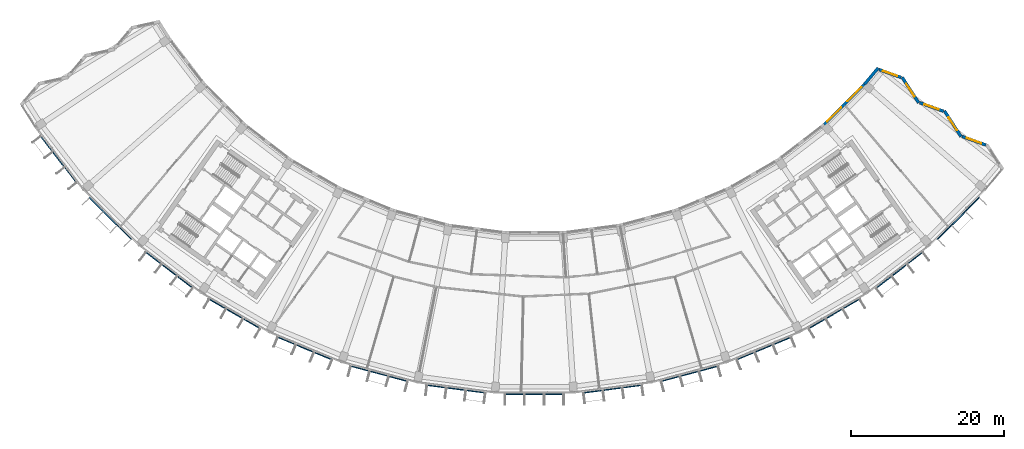
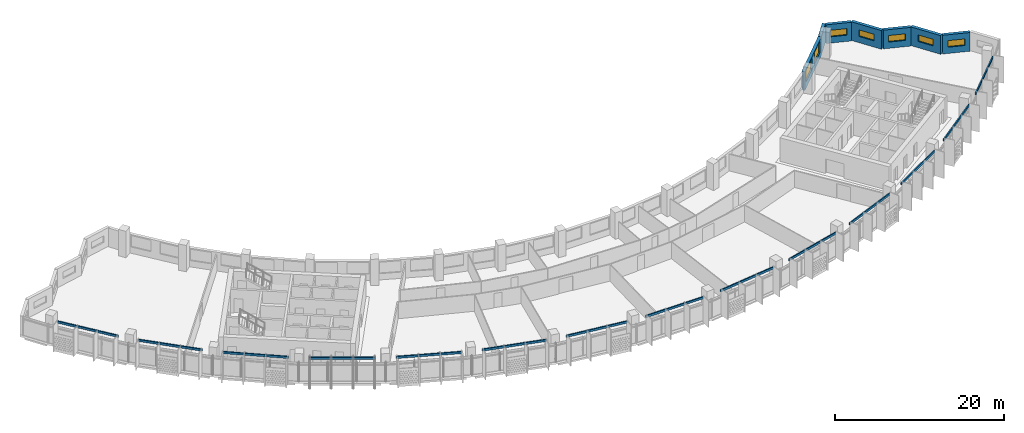
# One storey, part 8 of 28: 14 discrete accessories, 7 walls, 7 windows, 7 openings.
"""IFC4 building model written with IfcOpenShell, lengths in metres."""

from ifc_helpers import new_model, si_unit, direction, frame, frame_2d, origin, origin_2d, place, context, subcontext, project, spatial, rectangle, extrude, material, layer, layer_set, type_object, element, fill, save


model = new_model("IFC4")

# Units and contexts
model_context = context("Model", 3, precision=1e-05, world=origin(), true_north=direction((0.0, 1.0)))
body_context = subcontext(model_context, "Body", "Model", "MODEL_VIEW")
ifc_project = project(units=[si_unit("LENGTHUNIT", "METRE"), si_unit("AREAUNIT", "SQUARE_METRE"), si_unit("VOLUMEUNIT", "CUBIC_METRE"), si_unit("PLANEANGLEUNIT", "RADIAN"), si_unit("MASSUNIT", "GRAM", prefix="KILO")], contexts=[model_context])

# Site, building, storey
site_placement = place(None, origin())
site = spatial("IfcSite", under=ifc_project, at=site_placement, CompositionType="ELEMENT")
building_placement = place(site_placement, origin())
building = spatial("IfcBuilding", under=site, at=building_placement, Name="Qamariyya Broadcast Tower", CompositionType="ELEMENT")
storey_placement = place(building_placement, frame((0.0, 0.0, 249.300048828125)))
storey = spatial("IfcBuildingStorey", under=building, at=storey_placement, Name="L60", CompositionType="ELEMENT", Elevation=249.300048828125)

# Wall, opening, window
ifc_material_1 = material(Name="Terracotta", Category="masonry")
ifc_layer = layer(ifc_material_1, 0.39990234375)
ifc_layer_set = layer_set([ifc_layer], Name="Terracotta clad wall 400")
wall_type = type_object("IfcWallType", Name="Terracotta clad wall 400", PredefinedType="SOLIDWALL", material=ifc_layer_set)
wall_1_placement = place(storey_placement, frame((59.151611328125, -45.932373046875, 0.0), z_axis=(0.0, 0.0, 1.0), x_axis=(-0.940800753526, 0.33896008934, 0.0)))
wall_1 = element("IfcWall", 1, at=wall_1_placement, inside=storey, type_object=wall_type, Name="e-wl-L60-capE1", PredefinedType="SOLIDWALL", context=body_context, shape_type="SweptSolid", body=[
    extrude(rectangle(XDim=3.30517578125, YDim=0.39990234375, at=frame_2d((1.652587890625, 0.0))), origin(), (0.0, 0.0, 1.0), 2.699951171875),
])
opening_1_placement = place(wall_1_placement, frame((0.652587890625, 0.0, 0.89990234375)))
opening_1 = element("IfcOpeningElement", 2, at=opening_1_placement, cuts=wall_1, Name="Opening W4", PredefinedType="OPENING", context=body_context, shape_type="SweptSolid", body=[
    extrude(rectangle(XDim=2.0, YDim=0.949951171875, at=frame_2d((1.0, 0.47509765625))), frame((0.0, 0.2099609375, 0.0), z_axis=(0.0, -1.0, 0.0), x_axis=(1.0, 0.0, 0.0)), (0.0, 0.0, 1.0), 0.419921875),
])
ifc_material_2 = material(Name="Clear low-e double glazed unit in aluminium frame", Category="aluminium")
window_type_1 = type_object("IfcWindowType", Name="Horn bay window 2000 x 950", PartitioningType="SINGLE_PANEL", PredefinedType="WINDOW", material=ifc_material_2)
window_1_placement = place(opening_1_placement, origin())
window_1 = element("IfcWindow", 3, at=window_1_placement, inside=storey, type_object=window_type_1, Name="e-w-L60-capE1", OverallHeight=0.949951171875, OverallWidth=2.0, PartitioningType="SINGLE_PANEL", PredefinedType="WINDOW", context=body_context, shape_type="SweptSolid", body=[
    extrude(rectangle(XDim=2.0, YDim=0.949951171875, at=frame_2d((1.0, 0.47509765625))), frame((0.0, 0.030029296875, 0.0), z_axis=(0.0, -1.0, 0.0), x_axis=(1.0, 0.0, 0.0)), (0.0, 0.0, 1.0), 0.06005859375),
])
fill(opening_1, window_1)

wall_2_placement = place(storey_placement, frame((55.9033203125, -44.839599609375, 0.0), z_axis=(0.0, 0.0, 1.0), x_axis=(-0.542306320031, 0.840180846755, 0.0)))
wall_2 = element("IfcWall", 4, at=wall_2_placement, inside=storey, type_object=wall_type, Name="e-wl-L60-capE2", PredefinedType="SOLIDWALL", context=body_context, shape_type="SweptSolid", body=[
    extrude(rectangle(XDim=3.997314453125, YDim=0.39990234375, at=frame_2d((1.99853515625, 0.0))), origin(), (0.0, 0.0, 1.0), 2.699951171875),
])
opening_2_placement = place(wall_2_placement, frame((0.998779296875, 0.0, 0.89990234375)))
opening_2 = element("IfcOpeningElement", 5, at=opening_2_placement, cuts=wall_2, Name="Opening W4", PredefinedType="OPENING", context=body_context, shape_type="SweptSolid", body=[
    extrude(rectangle(XDim=2.0, YDim=0.949951171875, at=frame_2d((1.0, 0.47509765625))), frame((0.0, 0.2099609375, 0.0), z_axis=(0.0, -1.0, 0.0), x_axis=(1.0, 0.0, 0.0)), (0.0, 0.0, 1.0), 0.419921875),
])
window_2_placement = place(opening_2_placement, origin())
window_2 = element("IfcWindow", 6, at=window_2_placement, inside=storey, type_object=window_type_1, Name="e-w-L60-capE2", OverallHeight=0.949951171875, OverallWidth=2.0, PartitioningType="SINGLE_PANEL", PredefinedType="WINDOW", context=body_context, shape_type="SweptSolid", body=[
    extrude(rectangle(XDim=2.0, YDim=0.949951171875, at=frame_2d((1.0, 0.47509765625))), frame((0.0, 0.030029296875, 0.0), z_axis=(0.0, -1.0, 0.0), x_axis=(1.0, 0.0, 0.0)), (0.0, 0.0, 1.0), 0.06005859375),
])
fill(opening_2, window_2)

wall_3_placement = place(storey_placement, frame((53.596923828125, -41.508544921875, 0.0), z_axis=(0.0, 0.0, 1.0), x_axis=(-0.940845962496, 0.338834583321, 0.0)))
wall_3 = element("IfcWall", 7, at=wall_3_placement, inside=storey, type_object=wall_type, Name="e-wl-L60-capE3", PredefinedType="SOLIDWALL", context=body_context, shape_type="SweptSolid", body=[
    extrude(rectangle(XDim=3.304443359375, YDim=0.39990234375, at=frame_2d((1.65234375, 0.0))), origin(), (0.0, 0.0, 1.0), 2.699951171875),
])
opening_3_placement = place(wall_3_placement, frame((0.652099609375, 0.0, 0.89990234375)))
opening_3 = element("IfcOpeningElement", 8, at=opening_3_placement, cuts=wall_3, Name="Opening W4", PredefinedType="OPENING", context=body_context, shape_type="SweptSolid", body=[
    extrude(rectangle(XDim=2.0, YDim=0.949951171875, at=frame_2d((1.0, 0.47509765625))), frame((0.0, 0.2099609375, 0.0), z_axis=(0.0, -1.0, 0.0), x_axis=(1.0, 0.0, 0.0)), (0.0, 0.0, 1.0), 0.419921875),
])
window_3_placement = place(opening_3_placement, origin())
window_3 = element("IfcWindow", 9, at=window_3_placement, inside=storey, type_object=window_type_1, Name="e-w-L60-capE3", OverallHeight=0.949951171875, OverallWidth=2.0, PartitioningType="SINGLE_PANEL", PredefinedType="WINDOW", context=body_context, shape_type="SweptSolid", body=[
    extrude(rectangle(XDim=2.0, YDim=0.949951171875, at=frame_2d((1.0, 0.47509765625))), frame((0.0, 0.030029296875, 0.0), z_axis=(0.0, -1.0, 0.0), x_axis=(1.0, 0.0, 0.0)), (0.0, 0.0, 1.0), 0.06005859375),
])
fill(opening_3, window_3)

wall_4_placement = place(storey_placement, frame((50.349365234375, -40.41650390625, 0.0), z_axis=(0.0, 0.0, 1.0), x_axis=(-0.542395263542, 0.840123430269, 0.0)))
wall_4 = element("IfcWall", 10, at=wall_4_placement, inside=storey, type_object=wall_type, Name="e-wl-L60-capE4", PredefinedType="SOLIDWALL", context=body_context, shape_type="SweptSolid", body=[
    extrude(rectangle(XDim=3.998291015625, YDim=0.39990234375, at=frame_2d((1.9990234375, 0.0))), origin(), (0.0, 0.0, 1.0), 2.699951171875),
])
opening_4_placement = place(wall_4_placement, frame((0.999267578125, 0.0, 0.89990234375)))
opening_4 = element("IfcOpeningElement", 11, at=opening_4_placement, cuts=wall_4, Name="Opening W4", PredefinedType="OPENING", context=body_context, shape_type="SweptSolid", body=[
    extrude(rectangle(XDim=2.0, YDim=0.949951171875, at=frame_2d((1.0, 0.47509765625))), frame((0.0, 0.2099609375, 0.0), z_axis=(0.0, -1.0, 0.0), x_axis=(1.0, 0.0, 0.0)), (0.0, 0.0, 1.0), 0.419921875),
])
window_4_placement = place(opening_4_placement, origin())
window_4 = element("IfcWindow", 12, at=window_4_placement, inside=storey, type_object=window_type_1, Name="e-w-L60-capE4", OverallHeight=0.949951171875, OverallWidth=2.0, PartitioningType="SINGLE_PANEL", PredefinedType="WINDOW", context=body_context, shape_type="SweptSolid", body=[
    extrude(rectangle(XDim=2.0, YDim=0.949951171875, at=frame_2d((1.0, 0.47509765625))), frame((0.0, 0.030029296875, 0.0), z_axis=(0.0, -1.0, 0.0), x_axis=(1.0, 0.0, 0.0)), (0.0, 0.0, 1.0), 0.06005859375),
])
fill(opening_4, window_4)

wall_5_placement = place(storey_placement, frame((48.0419921875, -37.0849609375, 0.0), z_axis=(0.0, 0.0, 1.0), x_axis=(-0.940859957981, 0.338795719378, 0.0)))
wall_5 = element("IfcWall", 13, at=wall_5_placement, inside=storey, type_object=wall_type, Name="e-wl-L60-capE5", PredefinedType="SOLIDWALL", context=body_context, shape_type="SweptSolid", body=[
    extrude(rectangle(XDim=3.061279296875, YDim=0.39990234375, at=frame_2d((1.53076171875, 0.0))), origin(), (0.0, 0.0, 1.0), 2.699951171875),
])
opening_5_placement = place(wall_5_placement, frame((0.530517578125, 0.0, 0.89990234375)))
opening_5 = element("IfcOpeningElement", 14, at=opening_5_placement, cuts=wall_5, Name="Opening W4", PredefinedType="OPENING", context=body_context, shape_type="SweptSolid", body=[
    extrude(rectangle(XDim=2.0, YDim=0.949951171875, at=frame_2d((1.0, 0.47509765625))), frame((0.0, 0.2099609375, 0.0), z_axis=(0.0, -1.0, 0.0), x_axis=(1.0, 0.0, 0.0)), (0.0, 0.0, 1.0), 0.419921875),
])
window_5_placement = place(opening_5_placement, origin())
window_5 = element("IfcWindow", 15, at=window_5_placement, inside=storey, type_object=window_type_1, Name="e-w-L60-capE5", OverallHeight=0.949951171875, OverallWidth=2.0, PartitioningType="SINGLE_PANEL", PredefinedType="WINDOW", context=body_context, shape_type="SweptSolid", body=[
    extrude(rectangle(XDim=2.0, YDim=0.949951171875, at=frame_2d((1.0, 0.47509765625))), frame((0.0, 0.030029296875, 0.0), z_axis=(0.0, -1.0, 0.0), x_axis=(1.0, 0.0, 0.0)), (0.0, 0.0, 1.0), 0.06005859375),
])
fill(opening_5, window_5)

# Wall, openings, windows
wall_6_placement = place(storey_placement, frame((43.24267578125, -37.9716796875, 0.0), z_axis=(0.0, 0.0, 1.0), x_axis=(-0.707106781187, -0.707106781187, 0.0)))
wall_6 = element("IfcWall", 16, at=wall_6_placement, inside=storey, type_object=wall_type, Name="e-wl-L60-in140", PredefinedType="SOLIDWALL", context=body_context, shape_type="SweptSolid", body=[
    extrude(rectangle(XDim=7.4404296875, YDim=0.39990234375, at=frame_2d((3.72021484375, 0.0))), origin(), (0.0, 0.0, 1.0), 2.699951171875),
])
opening_6_placement = place(wall_6_placement, frame((4.302490234375, 0.0, 0.89990234375)))
opening_6 = element("IfcOpeningElement", 17, at=opening_6_placement, cuts=wall_6, Name="Opening W1", PredefinedType="OPENING", context=body_context, shape_type="SweptSolid", body=[
    extrude(rectangle(XDim=2.60009765625, YDim=1.64990234375, at=frame_2d((1.300048828125, 0.824951171875))), frame((0.0, 0.2099609375, 0.0), z_axis=(0.0, -1.0, 0.0), x_axis=(1.0, 0.0, 0.0)), (0.0, 0.0, 1.0), 0.419921875),
])
opening_7_placement = place(wall_6_placement, frame((0.5517578125, 0.0, 0.89990234375)))
opening_7 = element("IfcOpeningElement", 18, at=opening_7_placement, cuts=wall_6, Name="Opening W1", PredefinedType="OPENING", context=body_context, shape_type="SweptSolid", body=[
    extrude(rectangle(XDim=2.60009765625, YDim=1.64990234375, at=frame_2d((1.300048828125, 0.824951171875))), frame((0.0, 0.2099609375, 0.0), z_axis=(0.0, -1.0, 0.0), x_axis=(1.0, 0.0, 0.0)), (0.0, 0.0, 1.0), 0.419921875),
])
window_type_2 = type_object("IfcWindowType", Name="Ribbon window 2600 x 1650", PartitioningType="SINGLE_PANEL", PredefinedType="WINDOW", material=ifc_material_2)
window_6_placement = place(opening_6_placement, origin())
window_6 = element("IfcWindow", 19, at=window_6_placement, inside=storey, type_object=window_type_2, Name="e-w-L60-in14-0", OverallHeight=1.64990234375, OverallWidth=2.60009765625, PartitioningType="SINGLE_PANEL", PredefinedType="WINDOW", context=body_context, shape_type="SweptSolid", body=[
    extrude(rectangle(XDim=2.60009765625, YDim=1.64990234375, at=frame_2d((1.300048828125, 0.824951171875))), frame((0.0, 0.030029296875, 0.0), z_axis=(0.0, -1.0, 0.0), x_axis=(1.0, 0.0, 0.0)), (0.0, 0.0, 1.0), 0.06005859375),
])
fill(opening_6, window_6)
window_7_placement = place(opening_7_placement, origin())
window_7 = element("IfcWindow", 20, at=window_7_placement, inside=storey, type_object=window_type_2, Name="e-w-L60-in14-1", OverallHeight=1.64990234375, OverallWidth=2.60009765625, PartitioningType="SINGLE_PANEL", PredefinedType="WINDOW", context=body_context, shape_type="SweptSolid", body=[
    extrude(rectangle(XDim=2.60009765625, YDim=1.64990234375, at=frame_2d((1.300048828125, 0.824951171875))), frame((0.0, 0.030029296875, 0.0), z_axis=(0.0, -1.0, 0.0), x_axis=(1.0, 0.0, 0.0)), (0.0, 0.0, 1.0), 0.06005859375),
])
fill(opening_7, window_7)

# Wall
wall_7_placement = place(storey_placement, frame((45.044189453125, -35.82080078125, 0.0), z_axis=(0.0, 0.0, 1.0), x_axis=(-0.641294746582, -0.767294629205, 0.0)))
element("IfcWall", 21, at=wall_7_placement, inside=storey, type_object=wall_type, Name="e-wl-L60-in150", PredefinedType="SOLIDWALL", context=body_context, shape_type="SweptSolid", body=[
    extrude(rectangle(XDim=2.788330078125, YDim=0.39990234375, at=frame_2d((1.39404296875, 0.0))), origin(), (0.0, 0.0, 1.0), 2.699951171875),
])

# Discrete accessories
ifc_material_3 = material(Name="Stainless steel 316", Category="steel")
discrete_accessory_type = type_object("IfcDiscreteAccessoryType", Name="Slab edge fixing angle, stainless steel", PredefinedType="BRACKET", material=ifc_material_3)
for number, where, z_axis, x_axis, name in (
    (22, (-62.3232421875, -47.822265625, 3.2998046875), (0.0, 0.0, 1.0), (0.608761429009, -0.793353340291, 0.0), "e-br-L60-01-0"),
    (23, (-55.5478515625, -55.5478515625, 3.2998046875), (0.0, 0.0, 1.0), (0.707106781187, -0.707106781187, 0.0), "e-br-L60-02-0"),
    (24, (-47.822265625, -62.3232421875, 3.2998046875), (0.0, 0.0, 1.0), (0.793353340291, -0.608761429009, 0.0), "e-br-L60-03-0"),
    (25, (-39.2783203125, -68.031982421875, 3.2998046875), (0.0, 0.0, 1.0), (0.866025403784, -0.5, 0.0), "e-br-L60-04-0"),
    (26, (-30.062255859375, -72.576904296875, 3.2998046875), (0.0, 0.0, 1.0), (0.923879532511, -0.382683432365, 0.0), "e-br-L60-05-0"),
    (27, (-20.33203125, -75.8798828125, 3.2998046875), (0.0, 0.0, 1.0), (0.965925826289, -0.258819045103, 0.0), "e-br-L60-06-0"),
    (28, (-10.253662109375, -77.884521484375, 3.2998046875), (0.0, 0.0, 1.0), (0.991444861374, -0.13052619222, 0.0), "e-br-L60-07-0"),
    (29, (0.0, -78.556640625, 3.2998046875), (0.0, 0.0, 1.0), (1.0, 0.0, 0.0), "e-br-L60-08-0"),
    (30, (10.253662109375, -77.884521484375, 3.2998046875), (0.0, 0.0, 1.0), (0.991444861374, 0.13052619222, 0.0), "e-br-L60-09-0"),
    (31, (20.33203125, -75.8798828125, 3.2998046875), (0.0, 0.0, 1.0), (0.965925826289, 0.258819045103, 0.0), "e-br-L60-10-0"),
    (32, (30.062255859375, -72.576904296875, 3.2998046875), (0.0, 0.0, 1.0), (0.923879532511, 0.382683432365, 0.0), "e-br-L60-11-0"),
    (33, (39.2783203125, -68.031982421875, 3.2998046875), (0.0, 0.0, 1.0), (0.866025403784, 0.5, 0.0), "e-br-L60-12-0"),
    (34, (47.822265625, -62.3232421875, 3.2998046875), (0.0, 0.0, 1.0), (0.793353340291, 0.608761429009, 0.0), "e-br-L60-13-0"),
    (35, (55.5478515625, -55.5478515625, 3.2998046875), (0.0, 0.0, 1.0), (0.707106781187, 0.707106781187, 0.0), "e-br-L60-14-0"),
):
    element("IfcDiscreteAccessory", number, at=place(storey_placement, frame(where, z_axis=z_axis, x_axis=x_axis)), inside=storey, type_object=discrete_accessory_type, Name=name, PredefinedType="BRACKET", context=body_context, shape_type="SweptSolid", body=[
        extrude(rectangle(XDim=7.81591796875, YDim=0.14990234375, at=origin_2d()), origin(), (0.0, 0.0, 1.0), 0.300048828125),
    ])

save(model, "model.ifc")
